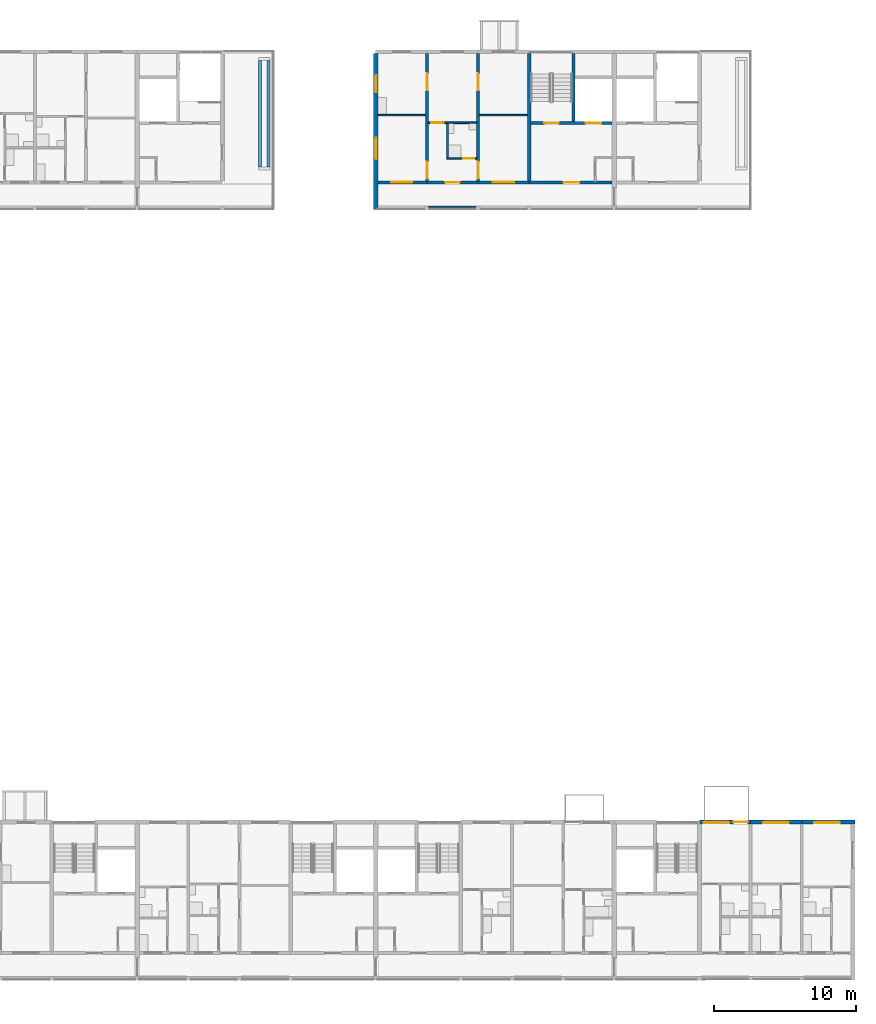
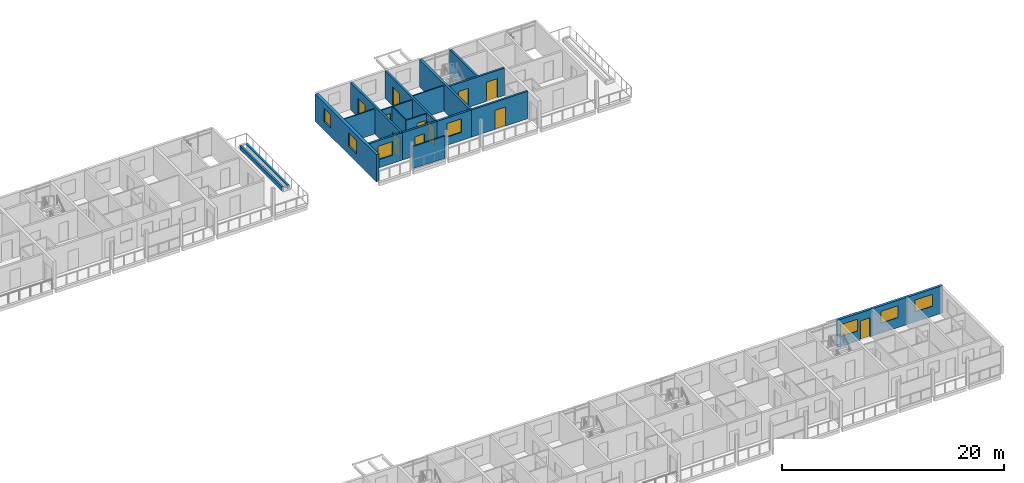
# One storey, part 57 of 87: 21 walls, 11 doors, 7 windows, 18 openings.
"""IFC4 building model written with IfcOpenShell, lengths in metres."""

from ifc_helpers import new_model, si_unit, direction, frame, frame_2d, origin, place, context, subcontext, project, spatial, rectangle, extrude, material, layer, layer_set, type_object, element, fill, save


model = new_model("IFC4")

# Units and contexts
model_context = context("Model", 3, precision=1e-05, world=origin(), true_north=direction((0.0, 1.0)))
body_context = subcontext(model_context, "Body", "Model", "MODEL_VIEW")
ifc_project = project(units=[si_unit("LENGTHUNIT", "METRE"), si_unit("AREAUNIT", "SQUARE_METRE"), si_unit("VOLUMEUNIT", "CUBIC_METRE"), si_unit("PLANEANGLEUNIT", "RADIAN"), si_unit("MASSUNIT", "GRAM", prefix="KILO")], contexts=[model_context])

# Site, building, storey
site_placement = place(None, origin())
site = spatial("IfcSite", under=ifc_project, at=site_placement, CompositionType="ELEMENT")
building_placement = place(site_placement, origin())
building = spatial("IfcBuilding", under=site, at=building_placement, Name="Ridgestep Commons", CompositionType="ELEMENT")
storey_placement = place(building_placement, frame((0.0, 0.0, 27.0)))
storey = spatial("IfcBuildingStorey", under=building, at=storey_placement, Name="L09", CompositionType="ELEMENT", Elevation=27.0)

# Wall
ifc_material_1 = material(Name="Concrete C30/37", Category="concrete")
ifc_layer_1 = layer(ifc_material_1, 0.25)
ifc_layer_set_1 = layer_set([ifc_layer_1], Name="Core cross wall 250")
wall_type_1 = type_object("IfcWallType", Name="Core cross wall 250", PredefinedType="SHEAR", material=ifc_layer_set_1)
wall_1_placement = place(storey_placement, frame((224.800048828125, 68.0, 0.0), z_axis=(0.0, 0.0, 1.0), x_axis=(0.0, 1.0, 0.0)))
element("IfcWall", 1, at=wall_1_placement, inside=storey, type_object=wall_type_1, Name="Cross wall C-09-2248", PredefinedType="SHEAR", context=body_context, shape_type="SweptSolid", body=[
    extrude(rectangle(XDim=9.0, YDim=0.25, at=frame_2d((4.5, 0.0))), origin(), (0.0, 0.0, 1.0), 3.0),
])

# Wall, opening, door
ifc_material_2 = material(Name="Concrete C30/37", Category="concrete")
ifc_layer_2 = layer(ifc_material_2, 0.199951171875)
ifc_layer_set_2 = layer_set([ifc_layer_2], Name="Core south wall 200")
wall_type_2 = type_object("IfcWallType", Name="Core south wall 200", PredefinedType="SHEAR", material=ifc_layer_set_2)
wall_2_placement = place(storey_placement, frame((224.800048828125, 67.89990234375, 0.0), z_axis=(0.0, 0.0, 1.0), x_axis=(1.0, 0.0, 0.0)))
wall_2 = element("IfcWall", 2, at=wall_2_placement, inside=storey, type_object=wall_type_2, Name="Core south wall C5C L09", PredefinedType="SHEAR", context=body_context, shape_type="SweptSolid", body=[
    extrude(rectangle(XDim=5.849853515625, YDim=0.199951171875, at=frame_2d((2.9248046875, 0.0))), origin(), (0.0, 0.0, 1.0), 3.0),
])
opening_1_placement = place(wall_2_placement, frame((2.4375, 0.0, 0.0)))
opening_1 = element("IfcOpeningElement", 3, at=opening_1_placement, cuts=wall_2, Name="Opening C5C/09/1", PredefinedType="OPENING", context=body_context, shape_type="SweptSolid", body=[
    extrude(rectangle(XDim=1.10009765625, YDim=2.10009765625, at=frame_2d((0.550048828125, 1.050048828125))), frame((0.0, 0.10986328125, 0.0), z_axis=(0.0, -1.0, 0.0), x_axis=(1.0, 0.0, 0.0)), (0.0, 0.0, 1.0), 0.219970703125),
])
ifc_material_3 = material(Name="Steel fire door", Category="steel")
door_type_1 = type_object("IfcDoorType", Name="Lobby door 1100 x 2100 FD60", OperationType="NOTDEFINED", PredefinedType="DOOR", material=ifc_material_3)
door_1_placement = place(opening_1_placement, origin())
door_1 = element("IfcDoor", 4, at=door_1_placement, inside=storey, type_object=door_type_1, Name="Lobby door C5C/09/1", OperationType="SINGLE_SWING_LEFT", OverallHeight=2.10009765625, OverallWidth=1.10009765625, PredefinedType="DOOR", context=body_context, shape_type="SweptSolid", body=[
    extrude(rectangle(XDim=1.10009765625, YDim=2.10009765625, at=frame_2d((0.550048828125, 1.050048828125))), frame((0.0, 0.02490234375, 0.0), z_axis=(0.0, -1.0, 0.0), x_axis=(1.0, 0.0, 0.0)), (0.0, 0.0, 1.0), 0.050048828125),
])
fill(opening_1, door_1)

# Wall, openings, doors
ifc_material_4 = material(Name="Concrete C30/37", Category="concrete")
ifc_layer_3 = layer(ifc_material_4, 0.199951171875)
ifc_layer_set_3 = layer_set([ifc_layer_3], Name="Core wall 200")
wall_type_3 = type_object("IfcWallType", Name="Core wall 200", PredefinedType="SHEAR", material=ifc_layer_set_3)
wall_3_placement = place(storey_placement, frame((224.925048828125, 72.10009765625, 0.0), z_axis=(0.0, 0.0, 1.0), x_axis=(1.0, 0.0, 0.0)))
wall_3 = element("IfcWall", 5, at=wall_3_placement, inside=storey, type_object=wall_type_3, Name="Core lobby wall C5C L09", PredefinedType="SHEAR", context=body_context, shape_type="SweptSolid", body=[
    extrude(rectangle(XDim=5.724853515625, YDim=0.199951171875, at=frame_2d((2.8623046875, 0.0))), origin(), (0.0, 0.0, 1.0), 3.0),
])
opening_2_placement = place(wall_3_placement, frame((0.949951171875, 0.0, 0.0)))
opening_2 = element("IfcOpeningElement", 6, at=opening_2_placement, cuts=wall_3, Name="Opening C5C/09/2", PredefinedType="OPENING", context=body_context, shape_type="SweptSolid", body=[
    extrude(rectangle(XDim=1.0, YDim=2.10009765625, at=frame_2d((0.5, 1.050048828125))), frame((0.0, 0.10986328125, 0.0), z_axis=(0.0, -1.0, 0.0), x_axis=(1.0, 0.0, 0.0)), (0.0, 0.0, 1.0), 0.219970703125),
])
opening_3_placement = place(wall_3_placement, frame((3.862548828125, 0.0, 0.0)))
opening_3 = element("IfcOpeningElement", 7, at=opening_3_placement, cuts=wall_3, Name="Opening C5C/09/3", PredefinedType="OPENING", context=body_context, shape_type="SweptSolid", body=[
    extrude(rectangle(XDim=1.10009765625, YDim=2.10009765625, at=frame_2d((0.550048828125, 1.050048828125))), frame((0.0, 0.10986328125, 0.0), z_axis=(0.0, -1.0, 0.0), x_axis=(1.0, 0.0, 0.0)), (0.0, 0.0, 1.0), 0.219970703125),
])
ifc_material_5 = material(Name="Stainless steel", Category="steel")
door_type_2 = type_object("IfcDoorType", Name="Lift landing door 1100 x 2100 FD60", OperationType="DOUBLE_DOOR_SLIDING", PredefinedType="DOOR", material=ifc_material_5)
door_2_placement = place(opening_3_placement, origin())
door_2 = element("IfcDoor", 8, at=door_2_placement, inside=storey, type_object=door_type_2, Name="Landing door LD C5C L09", OperationType="DOUBLE_DOOR_SLIDING", OverallHeight=2.10009765625, OverallWidth=1.10009765625, PredefinedType="DOOR", context=body_context, shape_type="SweptSolid", body=[
    extrude(rectangle(XDim=1.10009765625, YDim=2.10009765625, at=frame_2d((0.550048828125, 1.050048828125))), frame((0.0, 0.02490234375, 0.0), z_axis=(0.0, -1.0, 0.0), x_axis=(1.0, 0.0, 0.0)), (0.0, 0.0, 1.0), 0.050048828125),
])
fill(opening_3, door_2)
ifc_material_6 = material(Name="Steel fire door", Category="steel")
door_type_3 = type_object("IfcDoorType", Name="Stair door 1000 x 2100 FD60", OperationType="NOTDEFINED", PredefinedType="DOOR", material=ifc_material_6)
door_3_placement = place(opening_2_placement, origin())
door_3 = element("IfcDoor", 9, at=door_3_placement, inside=storey, type_object=door_type_3, Name="Stair door C5C/09/2", OperationType="SINGLE_SWING_RIGHT", OverallHeight=2.10009765625, OverallWidth=1.0, PredefinedType="DOOR", context=body_context, shape_type="SweptSolid", body=[
    extrude(rectangle(XDim=1.0, YDim=2.10009765625, at=frame_2d((0.5, 1.050048828125))), frame((0.0, 0.02490234375, 0.0), z_axis=(0.0, -1.0, 0.0), x_axis=(1.0, 0.0, 0.0)), (0.0, 0.0, 1.0), 0.050048828125),
])
fill(opening_2, door_3)

# Wall
wall_4_placement = place(storey_placement, frame((227.925048828125, 72.199951171875, 0.0), z_axis=(0.0, 0.0, 1.0), x_axis=(0.0, 1.0, 0.0)))
element("IfcWall", 10, at=wall_4_placement, inside=storey, type_object=wall_type_3, Name="Core stair wall C5C L09", PredefinedType="SHEAR", context=body_context, shape_type="SweptSolid", body=[
    extrude(rectangle(XDim=4.800048828125, YDim=0.199951171875, at=frame_2d((2.39990234375, 0.0))), origin(), (0.0, 0.0, 1.0), 3.0),
])

# Wall, openings, doors
ifc_material_7 = material(Name="Precast concrete C40/50", Category="concrete")
ifc_layer_4 = layer(ifc_material_7, 0.199951171875)
ifc_layer_set_4 = layer_set([ifc_layer_4], Name="Cross wall 200")
wall_type_4 = type_object("IfcWallType", Name="Cross wall 200", PredefinedType="SHEAR", material=ifc_layer_set_4)
wall_5_placement = place(storey_placement, frame((217.60009765625, 68.0, 0.0), z_axis=(0.0, 0.0, 1.0), x_axis=(0.0, 1.0, 0.0)))
wall_5 = element("IfcWall", 11, at=wall_5_placement, inside=storey, type_object=wall_type_4, Name="Cross wall C-09-2176", PredefinedType="SHEAR", context=body_context, shape_type="SweptSolid", body=[
    extrude(rectangle(XDim=9.0, YDim=0.199951171875, at=frame_2d((4.5, 0.0))), origin(), (0.0, 0.0, 1.0), 3.0),
])
opening_4_placement = place(wall_5_placement, frame((0.175048828125, 0.0, 0.0)))
opening_4 = element("IfcOpeningElement", 12, at=opening_4_placement, cuts=wall_5, Name="Opening C5-09a/4", PredefinedType="OPENING", context=body_context, shape_type="SweptSolid", body=[
    extrude(rectangle(XDim=1.199951171875, YDim=2.10009765625, at=frame_2d((0.60009765625, 1.050048828125))), frame((0.0, 0.10986328125, 0.0), z_axis=(0.0, -1.0, 0.0), x_axis=(1.0, 0.0, 0.0)), (0.0, 0.0, 1.0), 0.219970703125),
])
opening_5_placement = place(wall_5_placement, frame((6.39990234375, 0.0, 0.0)))
opening_5 = element("IfcOpeningElement", 13, at=opening_5_placement, cuts=wall_5, Name="Opening C5-09a/5", PredefinedType="OPENING", context=body_context, shape_type="SweptSolid", body=[
    extrude(rectangle(XDim=1.199951171875, YDim=2.10009765625, at=frame_2d((0.60009765625, 1.050048828125))), frame((0.0, 0.10986328125, 0.0), z_axis=(0.0, -1.0, 0.0), x_axis=(1.0, 0.0, 0.0)), (0.0, 0.0, 1.0), 0.219970703125),
])
ifc_material_8 = material(Name="Timber door leaf", Category="wood")
door_type_4 = type_object("IfcDoorType", Name="Double door 1200 x 2100", OperationType="DOUBLE_DOOR_SINGLE_SWING", PredefinedType="DOOR", material=ifc_material_8)
door_4_placement = place(opening_4_placement, origin())
door_4 = element("IfcDoor", 14, at=door_4_placement, inside=storey, type_object=door_type_4, Name="Double door C5-09a/4", OperationType="DOUBLE_DOOR_SINGLE_SWING", OverallHeight=2.10009765625, OverallWidth=1.199951171875, PredefinedType="DOOR", context=body_context, shape_type="SweptSolid", body=[
    extrude(rectangle(XDim=1.199951171875, YDim=2.10009765625, at=frame_2d((0.60009765625, 1.050048828125))), frame((0.0, 0.02490234375, 0.0), z_axis=(0.0, -1.0, 0.0), x_axis=(1.0, 0.0, 0.0)), (0.0, 0.0, 1.0), 0.050048828125),
])
fill(opening_4, door_4)
door_5_placement = place(opening_5_placement, origin())
door_5 = element("IfcDoor", 15, at=door_5_placement, inside=storey, type_object=door_type_4, Name="Double door C5-09a/5", OperationType="DOUBLE_DOOR_SINGLE_SWING", OverallHeight=2.10009765625, OverallWidth=1.199951171875, PredefinedType="DOOR", context=body_context, shape_type="SweptSolid", body=[
    extrude(rectangle(XDim=1.199951171875, YDim=2.10009765625, at=frame_2d((0.60009765625, 1.050048828125))), frame((0.0, 0.02490234375, 0.0), z_axis=(0.0, -1.0, 0.0), x_axis=(1.0, 0.0, 0.0)), (0.0, 0.0, 1.0), 0.050048828125),
])
fill(opening_5, door_5)

wall_6_placement = place(storey_placement, frame((221.199951171875, 68.0, 0.0), z_axis=(0.0, 0.0, 1.0), x_axis=(0.0, 1.0, 0.0)))
wall_6 = element("IfcWall", 16, at=wall_6_placement, inside=storey, type_object=wall_type_4, Name="Cross wall C-09-2212", PredefinedType="SHEAR", context=body_context, shape_type="SweptSolid", body=[
    extrude(rectangle(XDim=9.0, YDim=0.199951171875, at=frame_2d((4.5, 0.0))), origin(), (0.0, 0.0, 1.0), 3.0),
])
opening_6_placement = place(wall_6_placement, frame((0.175048828125, 0.0, 0.0)))
opening_6 = element("IfcOpeningElement", 17, at=opening_6_placement, cuts=wall_6, Name="Opening C5-09a/6", PredefinedType="OPENING", context=body_context, shape_type="SweptSolid", body=[
    extrude(rectangle(XDim=1.199951171875, YDim=2.10009765625, at=frame_2d((0.60009765625, 1.050048828125))), frame((0.0, 0.10986328125, 0.0), z_axis=(0.0, -1.0, 0.0), x_axis=(1.0, 0.0, 0.0)), (0.0, 0.0, 1.0), 0.219970703125),
])
opening_7_placement = place(wall_6_placement, frame((6.39990234375, 0.0, 0.0)))
opening_7 = element("IfcOpeningElement", 18, at=opening_7_placement, cuts=wall_6, Name="Opening C5-09a/7", PredefinedType="OPENING", context=body_context, shape_type="SweptSolid", body=[
    extrude(rectangle(XDim=1.199951171875, YDim=2.10009765625, at=frame_2d((0.60009765625, 1.050048828125))), frame((0.0, 0.10986328125, 0.0), z_axis=(0.0, -1.0, 0.0), x_axis=(1.0, 0.0, 0.0)), (0.0, 0.0, 1.0), 0.219970703125),
])
door_6_placement = place(opening_6_placement, origin())
door_6 = element("IfcDoor", 19, at=door_6_placement, inside=storey, type_object=door_type_4, Name="Double door C5-09a/6", OperationType="DOUBLE_DOOR_SINGLE_SWING", OverallHeight=2.10009765625, OverallWidth=1.199951171875, PredefinedType="DOOR", context=body_context, shape_type="SweptSolid", body=[
    extrude(rectangle(XDim=1.199951171875, YDim=2.10009765625, at=frame_2d((0.60009765625, 1.050048828125))), frame((0.0, 0.02490234375, 0.0), z_axis=(0.0, -1.0, 0.0), x_axis=(1.0, 0.0, 0.0)), (0.0, 0.0, 1.0), 0.050048828125),
])
fill(opening_6, door_6)
door_7_placement = place(opening_7_placement, origin())
door_7 = element("IfcDoor", 20, at=door_7_placement, inside=storey, type_object=door_type_4, Name="Double door C5-09a/7", OperationType="DOUBLE_DOOR_SINGLE_SWING", OverallHeight=2.10009765625, OverallWidth=1.199951171875, PredefinedType="DOOR", context=body_context, shape_type="SweptSolid", body=[
    extrude(rectangle(XDim=1.199951171875, YDim=2.10009765625, at=frame_2d((0.60009765625, 1.050048828125))), frame((0.0, 0.02490234375, 0.0), z_axis=(0.0, -1.0, 0.0), x_axis=(1.0, 0.0, 0.0)), (0.0, 0.0, 1.0), 0.050048828125),
])
fill(opening_7, door_7)

# Wall, openings, windows
ifc_material_9 = material(Name="Precast concrete C40/50", Category="concrete")
ifc_layer_5 = layer(ifc_material_9, 0.300048828125)
ifc_layer_set_5 = layer_set([ifc_layer_5], Name="Exposed division wall 300")
wall_type_5 = type_object("IfcWallType", Name="Exposed division wall 300", PredefinedType="SHEAR", material=ifc_layer_set_5)
wall_7_placement = place(storey_placement, frame((214.0, 66.0, 0.0), z_axis=(0.0, 0.0, 1.0), x_axis=(0.0, 1.0, 0.0)))
wall_7 = element("IfcWall", 21, at=wall_7_placement, inside=storey, type_object=wall_type_5, Name="Cross wall C-09-2140", PredefinedType="SHEAR", context=body_context, shape_type="SweptSolid", body=[
    extrude(rectangle(XDim=11.0, YDim=0.300048828125, at=frame_2d((5.5, 0.0))), origin(), (0.0, 0.0, 1.0), 3.0),
])
opening_8_placement = place(wall_7_placement, frame((3.550048828125, 0.0, 0.89990234375)))
opening_8 = element("IfcOpeningElement", 22, at=opening_8_placement, cuts=wall_7, Name="Opening W16", PredefinedType="OPENING", context=body_context, shape_type="SweptSolid", body=[
    extrude(rectangle(XDim=1.5, YDim=1.5, at=frame_2d((0.75, 0.75))), frame((0.0, 0.159912109375, 0.0), z_axis=(0.0, -1.0, 0.0), x_axis=(1.0, 0.0, 0.0)), (0.0, 0.0, 1.0), 0.320068359375),
])
opening_9_placement = place(wall_7_placement, frame((8.2548828125, 0.0, 0.89990234375)))
opening_9 = element("IfcOpeningElement", 23, at=opening_9_placement, cuts=wall_7, Name="Opening W10", PredefinedType="OPENING", context=body_context, shape_type="SweptSolid", body=[
    extrude(rectangle(XDim=1.199951171875, YDim=1.5, at=frame_2d((0.60009765625, 0.75))), frame((0.0, 0.159912109375, 0.0), z_axis=(0.0, -1.0, 0.0), x_axis=(1.0, 0.0, 0.0)), (0.0, 0.0, 1.0), 0.320068359375),
])
ifc_material_10 = material(Name="Aluminium 6063-T6 and glass", Category="aluminium")
window_type_1 = type_object("IfcWindowType", Name="Flat window 1200 x 1500", PartitioningType="SINGLE_PANEL", PredefinedType="WINDOW", material=ifc_material_10)
window_1_placement = place(opening_9_placement, origin())
window_1 = element("IfcWindow", 24, at=window_1_placement, inside=storey, type_object=window_type_1, Name="Window C5-09a 7", OverallHeight=1.5, OverallWidth=1.199951171875, PartitioningType="SINGLE_PANEL", PredefinedType="WINDOW", context=body_context, shape_type="SweptSolid", body=[
    extrude(rectangle(XDim=1.199951171875, YDim=1.5, at=frame_2d((0.60009765625, 0.75))), frame((0.0, 0.0, 0.0), z_axis=(0.0, -1.0, 0.0), x_axis=(1.0, 0.0, 0.0)), (0.0, 0.0, 1.0), 0.06005859375),
])
fill(opening_9, window_1)
ifc_material_11 = material(Name="Aluminium 6063-T6 and glass", Category="aluminium")
window_type_2 = type_object("IfcWindowType", Name="Flat window 1500 x 1500", PartitioningType="DOUBLE_PANEL_VERTICAL", PredefinedType="WINDOW", material=ifc_material_11)
window_2_placement = place(opening_8_placement, origin())
window_2 = element("IfcWindow", 25, at=window_2_placement, inside=storey, type_object=window_type_2, Name="Window C5-09a 6", OverallHeight=1.5, OverallWidth=1.5, PartitioningType="SINGLE_PANEL", PredefinedType="WINDOW", context=body_context, shape_type="SweptSolid", body=[
    extrude(rectangle(XDim=1.5, YDim=1.5, at=frame_2d((0.75, 0.75))), frame((0.0, 0.0, 0.0), z_axis=(0.0, -1.0, 0.0), x_axis=(1.0, 0.0, 0.0)), (0.0, 0.0, 1.0), 0.06005859375),
])
fill(opening_8, window_2)

# Wall, openings, door, window
ifc_material_12 = material(Name="Precast concrete C40/50", Category="concrete")
ifc_layer_6 = layer(ifc_material_12, 0.25)
ifc_layer_set_6 = layer_set([ifc_layer_6], Name="North facade panel 250")
wall_type_6 = type_object("IfcWallType", Name="North facade panel 250", PredefinedType="SOLIDWALL", material=ifc_layer_set_6)
wall_8_placement = place(storey_placement, frame((236.800048828125, 22.875, 0.0), z_axis=(0.0, 0.0, 1.0), x_axis=(1.0, 0.0, 0.0)))
wall_8 = element("IfcWall", 26, at=wall_8_placement, inside=storey, type_object=wall_type_6, Name="North panel D6T3 L09", PredefinedType="SOLIDWALL", context=body_context, shape_type="SweptSolid", body=[
    extrude(rectangle(XDim=3.599853515625, YDim=0.25, at=frame_2d((1.7998046875, 0.0))), origin(), (0.0, 0.0, 1.0), 3.0),
])
opening_10_placement = place(wall_8_placement, frame((0.302490234375, 0.0, 1.10009765625)))
opening_10 = element("IfcOpeningElement", 27, at=opening_10_placement, cuts=wall_8, Name="Opening W18", PredefinedType="OPENING", context=body_context, shape_type="SweptSolid", body=[
    extrude(rectangle(XDim=1.800048828125, YDim=1.300048828125, at=frame_2d((0.89990234375, 0.64990234375))), frame((0.0, 0.135009765625, 0.0), z_axis=(0.0, -1.0, 0.0), x_axis=(1.0, 0.0, 0.0)), (0.0, 0.0, 1.0), 0.27001953125),
])
opening_11_placement = place(wall_8_placement, frame((2.3798828125, 0.0, 0.0)))
opening_11 = element("IfcOpeningElement", 28, at=opening_11_placement, cuts=wall_8, Name="Opening D6-09c/5", PredefinedType="OPENING", context=body_context, shape_type="SweptSolid", body=[
    extrude(rectangle(XDim=1.0, YDim=2.10009765625, at=frame_2d((0.5, 1.050048828125))), frame((0.0, 0.135009765625, 0.0), z_axis=(0.0, -1.0, 0.0), x_axis=(1.0, 0.0, 0.0)), (0.0, 0.0, 1.0), 0.27001953125),
])
ifc_material_13 = material(Name="Aluminium and glass", Category="aluminium")
door_type_5 = type_object("IfcDoorType", Name="Balcony door 1000 x 2100", OperationType="NOTDEFINED", PredefinedType="DOOR", material=ifc_material_13)
door_8_placement = place(opening_11_placement, origin())
door_8 = element("IfcDoor", 29, at=door_8_placement, inside=storey, type_object=door_type_5, Name="Balcony door D6-09c/5", OperationType="SINGLE_SWING_LEFT", OverallHeight=2.10009765625, OverallWidth=1.0, PredefinedType="DOOR", context=body_context, shape_type="SweptSolid", body=[
    extrude(rectangle(XDim=1.0, YDim=2.10009765625, at=frame_2d((0.5, 1.050048828125))), frame((0.0, 0.02490234375, 0.0), z_axis=(0.0, -1.0, 0.0), x_axis=(1.0, 0.0, 0.0)), (0.0, 0.0, 1.0), 0.050048828125),
])
fill(opening_11, door_8)
ifc_material_14 = material(Name="Aluminium 6063-T6 and glass", Category="aluminium")
window_type_3 = type_object("IfcWindowType", Name="Flat window 1800 x 1300", PartitioningType="DOUBLE_PANEL_VERTICAL", PredefinedType="WINDOW", material=ifc_material_14)
window_3_placement = place(opening_10_placement, origin())
window_3 = element("IfcWindow", 30, at=window_3_placement, inside=storey, type_object=window_type_3, Name="Window D6-09c 2", OverallHeight=1.300048828125, OverallWidth=1.800048828125, PartitioningType="SINGLE_PANEL", PredefinedType="WINDOW", context=body_context, shape_type="SweptSolid", body=[
    extrude(rectangle(XDim=1.800048828125, YDim=1.300048828125, at=frame_2d((0.89990234375, 0.64990234375))), frame((0.0, -0.02490234375, 0.0), z_axis=(0.0, -1.0, 0.0), x_axis=(1.0, 0.0, 0.0)), (0.0, 0.0, 1.0), 0.06005859375),
])
fill(opening_10, window_3)

# Wall, opening, window
wall_9_placement = place(storey_placement, frame((240.39990234375, 22.875, 0.0), z_axis=(0.0, 0.0, 1.0), x_axis=(1.0, 0.0, 0.0)))
wall_9 = element("IfcWall", 31, at=wall_9_placement, inside=storey, type_object=wall_type_6, Name="North panel D6T2 L09", PredefinedType="SOLIDWALL", context=body_context, shape_type="SweptSolid", body=[
    extrude(rectangle(XDim=3.60009765625, YDim=0.25, at=frame_2d((1.800048828125, 0.0))), origin(), (0.0, 0.0, 1.0), 3.0),
])
opening_12_placement = place(wall_9_placement, frame((0.89990234375, 0.0, 1.10009765625)))
opening_12 = element("IfcOpeningElement", 32, at=opening_12_placement, cuts=wall_9, Name="Opening W18", PredefinedType="OPENING", context=body_context, shape_type="SweptSolid", body=[
    extrude(rectangle(XDim=1.800048828125, YDim=1.300048828125, at=frame_2d((0.89990234375, 0.64990234375))), frame((0.0, 0.135009765625, 0.0), z_axis=(0.0, -1.0, 0.0), x_axis=(1.0, 0.0, 0.0)), (0.0, 0.0, 1.0), 0.27001953125),
])
window_4_placement = place(opening_12_placement, origin())
window_4 = element("IfcWindow", 33, at=window_4_placement, inside=storey, type_object=window_type_3, Name="Window D6-09b 2", OverallHeight=1.300048828125, OverallWidth=1.800048828125, PartitioningType="SINGLE_PANEL", PredefinedType="WINDOW", context=body_context, shape_type="SweptSolid", body=[
    extrude(rectangle(XDim=1.800048828125, YDim=1.300048828125, at=frame_2d((0.89990234375, 0.64990234375))), frame((0.0, -0.02490234375, 0.0), z_axis=(0.0, -1.0, 0.0), x_axis=(1.0, 0.0, 0.0)), (0.0, 0.0, 1.0), 0.06005859375),
])
fill(opening_12, window_4)

wall_10_placement = place(storey_placement, frame((244.0, 22.875, 0.0), z_axis=(0.0, 0.0, 1.0), x_axis=(1.0, 0.0, 0.0)))
wall_10 = element("IfcWall", 34, at=wall_10_placement, inside=storey, type_object=wall_type_6, Name="North panel D6T1 L09", PredefinedType="SOLIDWALL", context=body_context, shape_type="SweptSolid", body=[
    extrude(rectangle(XDim=3.75, YDim=0.25, at=frame_2d((1.875, 0.0))), origin(), (0.0, 0.0, 1.0), 3.0),
])
opening_13_placement = place(wall_10_placement, frame((0.875, 0.0, 1.10009765625)))
opening_13 = element("IfcOpeningElement", 35, at=opening_13_placement, cuts=wall_10, Name="Opening W18", PredefinedType="OPENING", context=body_context, shape_type="SweptSolid", body=[
    extrude(rectangle(XDim=1.800048828125, YDim=1.300048828125, at=frame_2d((0.89990234375, 0.64990234375))), frame((0.0, 0.135009765625, 0.0), z_axis=(0.0, -1.0, 0.0), x_axis=(1.0, 0.0, 0.0)), (0.0, 0.0, 1.0), 0.27001953125),
])
window_5_placement = place(opening_13_placement, origin())
window_5 = element("IfcWindow", 36, at=window_5_placement, inside=storey, type_object=window_type_3, Name="Window D6-09a 2", OverallHeight=1.300048828125, OverallWidth=1.800048828125, PartitioningType="SINGLE_PANEL", PredefinedType="WINDOW", context=body_context, shape_type="SweptSolid", body=[
    extrude(rectangle(XDim=1.800048828125, YDim=1.300048828125, at=frame_2d((0.89990234375, 0.64990234375))), frame((0.0, -0.02490234375, 0.0), z_axis=(0.0, -1.0, 0.0), x_axis=(1.0, 0.0, 0.0)), (0.0, 0.0, 1.0), 0.06005859375),
])
fill(opening_13, window_5)

# Wall, opening, door
ifc_material_15 = material(Name="Common brick 110 mm", Category="masonry")
ifc_layer_7 = layer(ifc_material_15, 0.110107421875)
ifc_layer_set_7 = layer_set([ifc_layer_7], Name="Partition 110")
wall_type_7 = type_object("IfcWallType", Name="Partition 110", PredefinedType="PARTITIONING", material=ifc_layer_set_7)
wall_11_placement = place(storey_placement, frame((219.0, 69.60498046875, 0.0), z_axis=(0.0, 0.0, 1.0), x_axis=(1.0, 0.0, 0.0)))
wall_11 = element("IfcWall", 37, at=wall_11_placement, inside=storey, type_object=wall_type_7, Name="Partition C5-09a", PredefinedType="PARTITIONING", context=body_context, shape_type="SweptSolid", body=[
    extrude(rectangle(XDim=2.10009765625, YDim=0.110107421875, at=frame_2d((1.050048828125, 0.0))), origin(), (0.0, 0.0, 1.0), 2.800048828125),
])
opening_14_placement = place(wall_11_placement, frame((1.14990234375, 0.0, 0.0)))
opening_14 = element("IfcOpeningElement", 38, at=opening_14_placement, cuts=wall_11, Name="Opening C5-09a/2", PredefinedType="OPENING", context=body_context, shape_type="SweptSolid", body=[
    extrude(rectangle(XDim=0.800048828125, YDim=2.10009765625, at=frame_2d((0.39990234375, 1.050048828125))), frame((0.0, 0.06494140625, 0.0), z_axis=(0.0, -1.0, 0.0), x_axis=(1.0, 0.0, 0.0)), (0.0, 0.0, 1.0), 0.130126953125),
])
ifc_material_16 = material(Name="Timber door leaf", Category="wood")
door_type_6 = type_object("IfcDoorType", Name="Internal door 800 x 2100", OperationType="NOTDEFINED", PredefinedType="DOOR", material=ifc_material_16)
door_9_placement = place(opening_14_placement, origin())
door_9 = element("IfcDoor", 39, at=door_9_placement, inside=storey, type_object=door_type_6, Name="Internal door C5-09a/2", OperationType="SINGLE_SWING_RIGHT", OverallHeight=2.10009765625, OverallWidth=0.800048828125, PredefinedType="DOOR", context=body_context, shape_type="SweptSolid", body=[
    extrude(rectangle(XDim=0.800048828125, YDim=2.10009765625, at=frame_2d((0.39990234375, 1.050048828125))), frame((0.0, 0.02490234375, 0.0), z_axis=(0.0, -1.0, 0.0), x_axis=(1.0, 0.0, 0.0)), (0.0, 0.0, 1.0), 0.050048828125),
])
fill(opening_14, door_9)

# Wall
wall_12_placement = place(storey_placement, frame((219.054931640625, 69.659912109375, 0.0), z_axis=(0.0, 0.0, 1.0), x_axis=(0.0, 1.0, 0.0)))
element("IfcWall", 40, at=wall_12_placement, inside=storey, type_object=wall_type_7, Name="Partition C5-09a", PredefinedType="PARTITIONING", context=body_context, shape_type="SweptSolid", body=[
    extrude(rectangle(XDim=2.400146484375, YDim=0.110107421875, at=frame_2d((1.2001953125, 0.0))), origin(), (0.0, 0.0, 1.0), 2.800048828125),
])

# Wall, opening, door
wall_13_placement = place(storey_placement, frame((217.699951171875, 72.114990234375, 0.0), z_axis=(0.0, 0.0, 1.0), x_axis=(1.0, 0.0, 0.0)))
wall_13 = element("IfcWall", 41, at=wall_13_placement, inside=storey, type_object=wall_type_7, Name="Partition C5-09a", PredefinedType="PARTITIONING", context=body_context, shape_type="SweptSolid", body=[
    extrude(rectangle(XDim=3.400146484375, YDim=0.110107421875, at=frame_2d((1.7001953125, 0.0))), origin(), (0.0, 0.0, 1.0), 2.800048828125),
])
opening_15_placement = place(wall_13_placement, frame((0.199951171875, 0.0, 0.0)))
opening_15 = element("IfcOpeningElement", 42, at=opening_15_placement, cuts=wall_13, Name="Opening C5-09a/3", PredefinedType="OPENING", context=body_context, shape_type="SweptSolid", body=[
    extrude(rectangle(XDim=0.89990234375, YDim=2.10009765625, at=frame_2d((0.449951171875, 1.050048828125))), frame((0.0, 0.06494140625, 0.0), z_axis=(0.0, -1.0, 0.0), x_axis=(1.0, 0.0, 0.0)), (0.0, 0.0, 1.0), 0.130126953125),
])
ifc_material_17 = material(Name="Timber door leaf", Category="wood")
door_type_7 = type_object("IfcDoorType", Name="Internal door 900 x 2100", OperationType="NOTDEFINED", PredefinedType="DOOR", material=ifc_material_17)
door_10_placement = place(opening_15_placement, origin())
door_10 = element("IfcDoor", 43, at=door_10_placement, inside=storey, type_object=door_type_7, Name="Internal door C5-09a/3", OperationType="SINGLE_SWING_LEFT", OverallHeight=2.10009765625, OverallWidth=0.89990234375, PredefinedType="DOOR", context=body_context, shape_type="SweptSolid", body=[
    extrude(rectangle(XDim=0.89990234375, YDim=2.10009765625, at=frame_2d((0.449951171875, 1.050048828125))), frame((0.0, 0.02490234375, 0.0), z_axis=(0.0, -1.0, 0.0), x_axis=(1.0, 0.0, 0.0)), (0.0, 0.0, 1.0), 0.050048828125),
])
fill(opening_15, door_10)

# Walls
wall_14_placement = place(storey_placement, frame((214.14990234375, 72.655029296875, 0.0), z_axis=(0.0, 0.0, 1.0), x_axis=(1.0, 0.0, 0.0)))
element("IfcWall", 44, at=wall_14_placement, inside=storey, type_object=wall_type_7, Name="Partition C5-09a", PredefinedType="PARTITIONING", context=body_context, shape_type="SweptSolid", body=[
    extrude(rectangle(XDim=3.35009765625, YDim=0.110107421875, at=frame_2d((1.675048828125, 0.0))), origin(), (0.0, 0.0, 1.0), 2.75),
])
wall_15_placement = place(storey_placement, frame((221.300048828125, 72.655029296875, 0.0), z_axis=(0.0, 0.0, 1.0), x_axis=(1.0, 0.0, 0.0)))
element("IfcWall", 45, at=wall_15_placement, inside=storey, type_object=wall_type_7, Name="Partition C5-09a", PredefinedType="PARTITIONING", context=body_context, shape_type="SweptSolid", body=[
    extrude(rectangle(XDim=3.375, YDim=0.110107421875, at=frame_2d((1.6875, 0.0))), origin(), (0.0, 0.0, 1.0), 2.800048828125),
])
ifc_material_18 = material(Name="Precast concrete C30/37", Category="concrete")
ifc_layer_8 = layer(ifc_material_18, 0.10009765625)
ifc_layer_set_8 = layer_set([ifc_layer_8], Name="Perforated gallery screen 3350 x 2450 x 100")
wall_type_8 = type_object("IfcWallType", Name="Perforated gallery screen 3350 x 2450 x 100", PredefinedType="SOLIDWALL", material=ifc_layer_set_8)
wall_16_placement = place(storey_placement, frame((217.72509765625, 66.199951171875, 0.0), z_axis=(0.0, 0.0, 1.0), x_axis=(1.0, 0.0, 0.0)))
element("IfcWall", 46, at=wall_16_placement, inside=storey, type_object=wall_type_8, Name="Gallery screen C5T2 09", PredefinedType="SOLIDWALL", context=body_context, shape_type="SweptSolid", body=[
    extrude(rectangle(XDim=3.349853515625, YDim=0.10009765625, at=frame_2d((1.6748046875, 0.0))), origin(), (0.0, 0.0, 1.0), 2.449951171875),
])
ifc_material_19 = material(Name="Facing brick", Category="masonry")
ifc_layer_9 = layer(ifc_material_19, 0.199951171875)
ifc_layer_set_9 = layer_set([ifc_layer_9], Name="Planter wall 200")
wall_type_9 = type_object("IfcWallType", Name="Planter wall 200", PredefinedType="SOLIDWALL", material=ifc_layer_set_9)
for number, where, z_axis, x_axis, name in (
    (47, (205.85009765625, 69.0, 0.010009765625), (0.0, 0.0, 1.0), (0.0, 1.0, 0.0), "Planter wall C4R3W"),
    (48, (206.449951171875, 69.0, 0.010009765625), (0.0, 0.0, 1.0), (0.0, 1.0, 0.0), "Planter wall C4R3E"),
):
    element("IfcWall", number, at=place(storey_placement, frame(where, z_axis=z_axis, x_axis=x_axis)), inside=storey, type_object=wall_type_9, Name=name, PredefinedType="SOLIDWALL", context=body_context, shape_type="SweptSolid", body=[
        extrude(rectangle(XDim=7.5, YDim=0.199951171875, at=frame_2d((3.75, 0.0))), origin(), (0.0, 0.0, 1.0), 0.449951171875),
    ])

# Wall, opening, window
ifc_material_20 = material(Name="Precast concrete C40/50", Category="concrete")
ifc_layer_10 = layer(ifc_material_20, 0.199951171875)
ifc_layer_set_10 = layer_set([ifc_layer_10], Name="South facade panel 200")
wall_type_10 = type_object("IfcWallType", Name="South facade panel 200", PredefinedType="SOLIDWALL", material=ifc_layer_set_10)
wall_17_placement = place(storey_placement, frame((214.14990234375, 67.89990234375, 0.0), z_axis=(0.0, 0.0, 1.0), x_axis=(1.0, 0.0, 0.0)))
wall_17 = element("IfcWall", 49, at=wall_17_placement, inside=storey, type_object=wall_type_10, Name="South panel C5T1 L09", PredefinedType="SOLIDWALL", context=body_context, shape_type="SweptSolid", body=[
    extrude(rectangle(XDim=3.4501953125, YDim=0.199951171875, at=frame_2d((1.72509765625, 0.0))), origin(), (0.0, 0.0, 1.0), 3.0),
])
opening_16_placement = place(wall_17_placement, frame((0.925048828125, 0.0, 0.89990234375)))
opening_16 = element("IfcOpeningElement", 50, at=opening_16_placement, cuts=wall_17, Name="Opening W16", PredefinedType="OPENING", context=body_context, shape_type="SweptSolid", body=[
    extrude(rectangle(XDim=1.5, YDim=1.5, at=frame_2d((0.75, 0.75))), frame((0.0, 0.10986328125, 0.0), z_axis=(0.0, -1.0, 0.0), x_axis=(1.0, 0.0, 0.0)), (0.0, 0.0, 1.0), 0.219970703125),
])
window_6_placement = place(opening_16_placement, origin())
window_6 = element("IfcWindow", 51, at=window_6_placement, inside=storey, type_object=window_type_2, Name="Window C5-09a 1", OverallHeight=1.5, OverallWidth=1.5, PartitioningType="SINGLE_PANEL", PredefinedType="WINDOW", context=body_context, shape_type="SweptSolid", body=[
    extrude(rectangle(XDim=1.5, YDim=1.5, at=frame_2d((0.75, 0.75))), frame((0.0, 0.06005859375, 0.0), z_axis=(0.0, -1.0, 0.0), x_axis=(1.0, 0.0, 0.0)), (0.0, 0.0, 1.0), 0.06005859375),
])
fill(opening_16, window_6)

# Wall, opening, door
wall_18_placement = place(storey_placement, frame((217.60009765625, 67.89990234375, 0.0), z_axis=(0.0, 0.0, 1.0), x_axis=(1.0, 0.0, 0.0)))
wall_18 = element("IfcWall", 52, at=wall_18_placement, inside=storey, type_object=wall_type_10, Name="South panel C5T2 L09", PredefinedType="SOLIDWALL", context=body_context, shape_type="SweptSolid", body=[
    extrude(rectangle(XDim=3.599853515625, YDim=0.199951171875, at=frame_2d((1.7998046875, 0.0))), origin(), (0.0, 0.0, 1.0), 3.0),
])
opening_17_placement = place(wall_18_placement, frame((1.300048828125, 0.0, 0.0)))
opening_17 = element("IfcOpeningElement", 53, at=opening_17_placement, cuts=wall_18, Name="Opening C5-09a/1", PredefinedType="OPENING", context=body_context, shape_type="SweptSolid", body=[
    extrude(rectangle(XDim=1.0, YDim=2.10009765625, at=frame_2d((0.5, 1.050048828125))), frame((0.0, 0.10986328125, 0.0), z_axis=(0.0, -1.0, 0.0), x_axis=(1.0, 0.0, 0.0)), (0.0, 0.0, 1.0), 0.219970703125),
])
ifc_material_21 = material(Name="Timber door leaf", Category="wood")
door_type_8 = type_object("IfcDoorType", Name="Flat entrance door 1000 x 2100 FD30S", OperationType="NOTDEFINED", PredefinedType="DOOR", material=ifc_material_21)
door_11_placement = place(opening_17_placement, origin())
door_11 = element("IfcDoor", 54, at=door_11_placement, inside=storey, type_object=door_type_8, Name="Flat entrance door C5-09a/1", OperationType="SINGLE_SWING_LEFT", OverallHeight=2.10009765625, OverallWidth=1.0, PredefinedType="DOOR", context=body_context, shape_type="SweptSolid", body=[
    extrude(rectangle(XDim=1.0, YDim=2.10009765625, at=frame_2d((0.5, 1.050048828125))), frame((0.0, 0.02490234375, 0.0), z_axis=(0.0, -1.0, 0.0), x_axis=(1.0, 0.0, 0.0)), (0.0, 0.0, 1.0), 0.050048828125),
])
fill(opening_17, door_11)

# Wall, opening, window
wall_19_placement = place(storey_placement, frame((221.199951171875, 67.89990234375, 0.0), z_axis=(0.0, 0.0, 1.0), x_axis=(1.0, 0.0, 0.0)))
wall_19 = element("IfcWall", 55, at=wall_19_placement, inside=storey, type_object=wall_type_10, Name="South panel C5T3 L09", PredefinedType="SOLIDWALL", context=body_context, shape_type="SweptSolid", body=[
    extrude(rectangle(XDim=3.60009765625, YDim=0.199951171875, at=frame_2d((1.800048828125, 0.0))), origin(), (0.0, 0.0, 1.0), 3.0),
])
opening_18_placement = place(wall_19_placement, frame((1.03759765625, 0.0, 0.89990234375)))
opening_18 = element("IfcOpeningElement", 56, at=opening_18_placement, cuts=wall_19, Name="Opening W16", PredefinedType="OPENING", context=body_context, shape_type="SweptSolid", body=[
    extrude(rectangle(XDim=1.5, YDim=1.5, at=frame_2d((0.75, 0.75))), frame((0.0, 0.10986328125, 0.0), z_axis=(0.0, -1.0, 0.0), x_axis=(1.0, 0.0, 0.0)), (0.0, 0.0, 1.0), 0.219970703125),
])
window_7_placement = place(opening_18_placement, origin())
window_7 = element("IfcWindow", 57, at=window_7_placement, inside=storey, type_object=window_type_2, Name="Window C5-09a 3", OverallHeight=1.5, OverallWidth=1.5, PartitioningType="SINGLE_PANEL", PredefinedType="WINDOW", context=body_context, shape_type="SweptSolid", body=[
    extrude(rectangle(XDim=1.5, YDim=1.5, at=frame_2d((0.75, 0.75))), frame((0.0, 0.06005859375, 0.0), z_axis=(0.0, -1.0, 0.0), x_axis=(1.0, 0.0, 0.0)), (0.0, 0.0, 1.0), 0.06005859375),
])
fill(opening_18, window_7)

save(model, "model.ifc")
